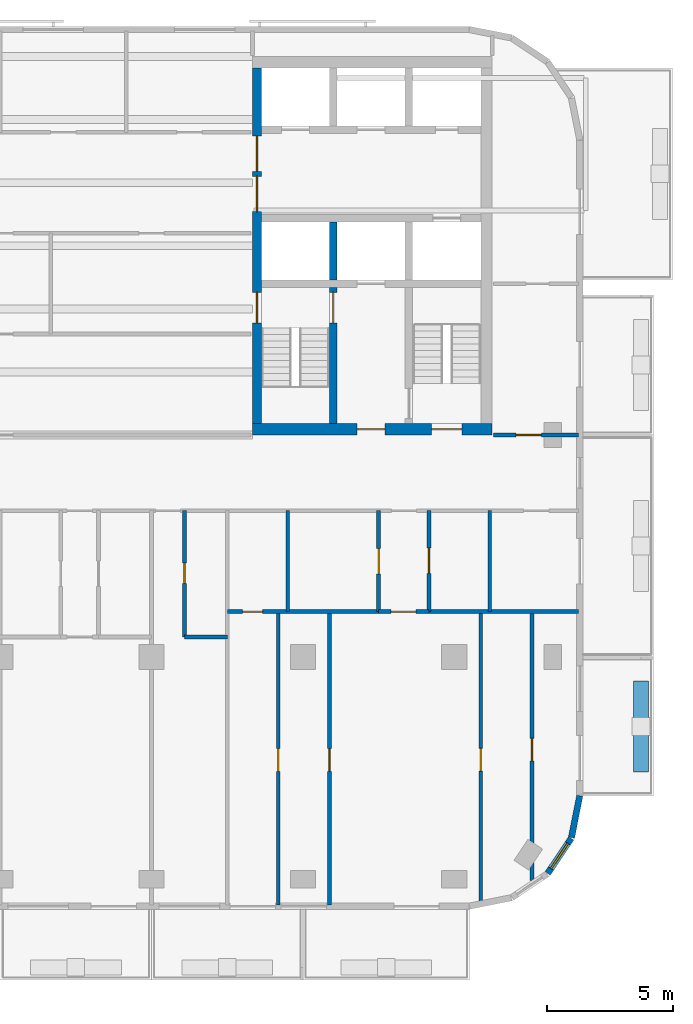
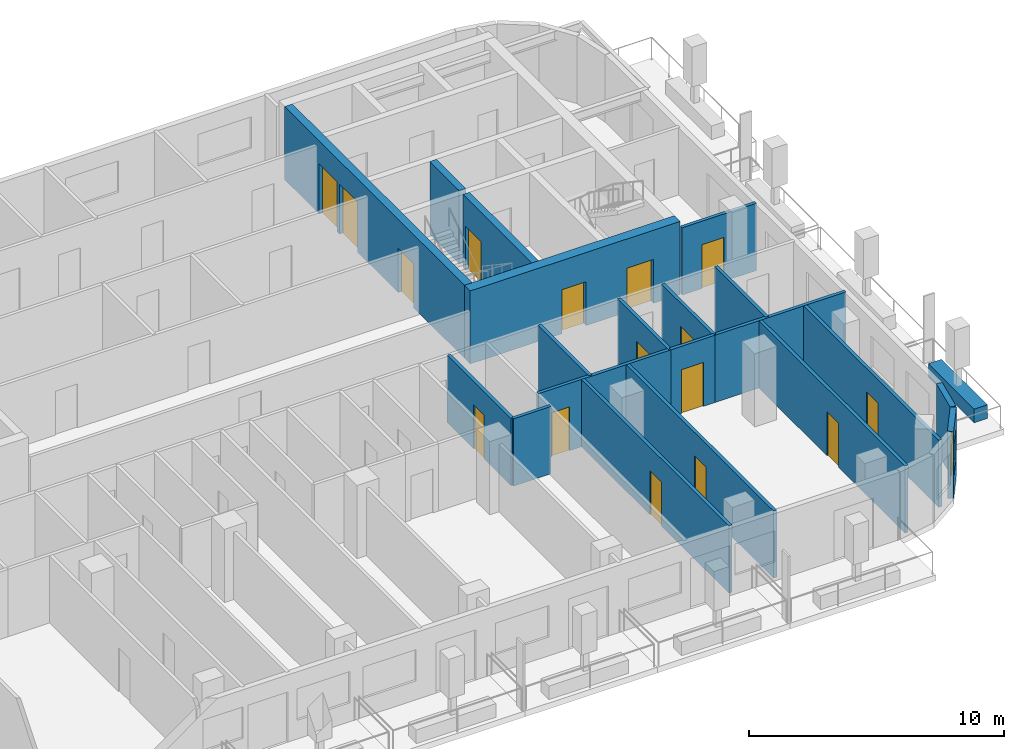
# One storey, part 5 of 11: 21 walls, 16 doors, 1 window, 17 openings.
"""IFC4 building model written with IfcOpenShell, lengths in metres."""

from ifc_helpers import new_model, si_unit, direction, frame, frame_2d, origin, place, context, subcontext, project, spatial, rectangle, extrude, material, layer, layer_set, type_object, element, fill, save


model = new_model("IFC4")

# Units and contexts
model_context = context("Model", 3, precision=1e-05, world=origin(), true_north=direction((0.0, 1.0)))
body_context = subcontext(model_context, "Body", "Model", "MODEL_VIEW")
ifc_project = project(units=[si_unit("LENGTHUNIT", "METRE"), si_unit("AREAUNIT", "SQUARE_METRE"), si_unit("VOLUMEUNIT", "CUBIC_METRE"), si_unit("PLANEANGLEUNIT", "RADIAN"), si_unit("MASSUNIT", "GRAM", prefix="KILO")], contexts=[model_context])

# Site, building, storey
site_placement = place(None, origin())
site = spatial("IfcSite", under=ifc_project, at=site_placement, CompositionType="ELEMENT")
building_placement = place(site_placement, origin())
building = spatial("IfcBuilding", under=site, at=building_placement, Name="Torana Hotel and Residences", CompositionType="ELEMENT")
storey_placement = place(building_placement, frame((0.0, 0.0, 263.10009765625)))
storey = spatial("IfcBuildingStorey", under=building, at=storey_placement, Name="L69", CompositionType="ELEMENT", Elevation=263.10009765625)

# Wall
ifc_material_1 = material(Name="Concrete C60/75", Category="concrete")
ifc_layer_1 = layer(ifc_material_1, 0.300048828125)
ifc_layer_set_1 = layer_set([ifc_layer_1], Name="CORE WALL 300 C60/75")
wall_type_1 = type_object("IfcWallType", Name="CORE WALL 300 C60/75", PredefinedType="SHEAR", material=ifc_layer_set_1)
wall_1_placement = place(storey_placement, frame((13.199951171875, -8.85009765625, 0.0), z_axis=(0.0, 0.0, 1.0), x_axis=(0.0, 1.0, 0.0)))
element("IfcWall", 1, at=wall_1_placement, inside=storey, type_object=wall_type_1, Name="Core wall E x3.05-S", PredefinedType="SHEAR", context=body_context, shape_type="SweptSolid", body=[
    extrude(rectangle(XDim=2.300048828125, YDim=0.300048828125, at=frame_2d((1.14990234375, 0.0))), origin(), (0.0, 0.0, 1.0), 3.5),
])

# Wall, opening, door
wall_2_placement = place(storey_placement, frame((13.199951171875, -14.550048828125, 0.0), z_axis=(0.0, 0.0, 1.0), x_axis=(0.0, 1.0, 0.0)))
wall_2 = element("IfcWall", 2, at=wall_2_placement, inside=storey, type_object=wall_type_1, Name="Core wall E x3.05-band", PredefinedType="SHEAR", context=body_context, shape_type="SweptSolid", body=[
    extrude(rectangle(XDim=5.400146484375, YDim=0.300048828125, at=frame_2d((2.7001953125, 0.0))), origin(), (0.0, 0.0, 1.0), 3.5),
])
opening_1_placement = place(wall_2_placement, frame((4.0, 0.0, 0.0)))
opening_1 = element("IfcOpeningElement", 3, at=opening_1_placement, cuts=wall_2, Name="Opening L69-15", PredefinedType="OPENING", context=body_context, shape_type="SweptSolid", body=[
    extrude(rectangle(XDim=1.199951171875, YDim=2.10009765625, at=frame_2d((0.60009765625, 1.050048828125))), frame((0.0, 0.159912109375, 0.0), z_axis=(0.0, -1.0, 0.0), x_axis=(1.0, 0.0, 0.0)), (0.0, 0.0, 1.0), 0.320068359375),
])
ifc_material_2 = material(Name="Steel S235", Category="steel")
door_type_1 = type_object("IfcDoorType", Name="STAIR FIRE DOOR D3 1200x2100", OperationType="SINGLE_SWING_LEFT", PredefinedType="DOOR", material=ifc_material_2)
door_1_placement = place(opening_1_placement, origin())
door_1 = element("IfcDoor", 4, at=door_1_placement, inside=storey, type_object=door_type_1, Name="Stair-A-lobby door L69", OperationType="SINGLE_SWING_LEFT", OverallHeight=2.10009765625, OverallWidth=1.199951171875, PredefinedType="DOOR", context=body_context, shape_type="SweptSolid", body=[
    extrude(rectangle(XDim=1.199951171875, YDim=2.10009765625, at=frame_2d((0.60009765625, 1.050048828125))), frame((0.0, 0.02490234375, 0.0), z_axis=(0.0, -1.0, 0.0), x_axis=(1.0, 0.0, 0.0)), (0.0, 0.0, 1.0), 0.050048828125),
])
fill(opening_1, door_1)

# Wall, openings, doors
ifc_material_3 = material(Name="Concrete C60/75", Category="concrete")
ifc_layer_2 = layer(ifc_material_3, 0.35009765625)
ifc_layer_set_2 = layer_set([ifc_layer_2], Name="CORE WALL 350 C60/75")
wall_type_2 = type_object("IfcWallType", Name="CORE WALL 350 C60/75", PredefinedType="SHEAR", material=ifc_layer_set_2)
wall_3_placement = place(storey_placement, frame((10.175048828125, -14.550048828125, 0.0), z_axis=(0.0, 0.0, 1.0), x_axis=(0.0, 1.0, 0.0)))
wall_3 = element("IfcWall", 5, at=wall_3_placement, inside=storey, type_object=wall_type_2, Name="Core wall E arch", PredefinedType="SHEAR", context=body_context, shape_type="SweptSolid", body=[
    extrude(rectangle(XDim=14.10009765625, YDim=0.35009765625, at=frame_2d((7.050048828125, 0.0))), origin(), (0.0, 0.0, 1.0), 3.5),
])
opening_2_placement = place(wall_3_placement, frame((8.39990234375, 0.0, 0.0)))
opening_2 = element("IfcOpeningElement", 6, at=opening_2_placement, cuts=wall_3, Name="Opening L69-09", PredefinedType="OPENING", context=body_context, shape_type="SweptSolid", body=[
    extrude(rectangle(XDim=1.39990234375, YDim=2.39990234375, at=frame_2d((0.699951171875, 1.199951171875))), frame((0.0, 0.18505859375, 0.0), z_axis=(0.0, -1.0, 0.0), x_axis=(1.0, 0.0, 0.0)), (0.0, 0.0, 1.0), 0.3701171875),
])
opening_3_placement = place(wall_3_placement, frame((10.0, 0.0, 0.0)))
opening_3 = element("IfcOpeningElement", 7, at=opening_3_placement, cuts=wall_3, Name="Opening L69-10", PredefinedType="OPENING", context=body_context, shape_type="SweptSolid", body=[
    extrude(rectangle(XDim=1.39990234375, YDim=2.39990234375, at=frame_2d((0.699951171875, 1.199951171875))), frame((0.0, 0.18505859375, 0.0), z_axis=(0.0, -1.0, 0.0), x_axis=(1.0, 0.0, 0.0)), (0.0, 0.0, 1.0), 0.3701171875),
])
opening_4_placement = place(wall_3_placement, frame((4.0, 0.0, 0.0)))
opening_4 = element("IfcOpeningElement", 8, at=opening_4_placement, cuts=wall_3, Name="Opening L69-11", PredefinedType="OPENING", context=body_context, shape_type="SweptSolid", body=[
    extrude(rectangle(XDim=1.199951171875, YDim=2.10009765625, at=frame_2d((0.60009765625, 1.050048828125))), frame((0.0, 0.18505859375, 0.0), z_axis=(0.0, -1.0, 0.0), x_axis=(1.0, 0.0, 0.0)), (0.0, 0.0, 1.0), 0.3701171875),
])
ifc_material_4 = material(Name="Steel S235", Category="steel")
door_type_2 = type_object("IfcDoorType", Name="LOBBY FIRE DOOR D4 1400x2400", OperationType="DOUBLE_DOOR_SINGLE_SWING", PredefinedType="DOOR", material=ifc_material_4)
door_2_placement = place(opening_2_placement, origin())
door_2 = element("IfcDoor", 9, at=door_2_placement, inside=storey, type_object=door_type_2, Name="Lobby-1 door L69", OperationType="DOUBLE_DOOR_SINGLE_SWING", OverallHeight=2.39990234375, OverallWidth=1.39990234375, PredefinedType="DOOR", context=body_context, shape_type="SweptSolid", body=[
    extrude(rectangle(XDim=1.39990234375, YDim=2.39990234375, at=frame_2d((0.699951171875, 1.199951171875))), frame((0.0, 0.02490234375, 0.0), z_axis=(0.0, -1.0, 0.0), x_axis=(1.0, 0.0, 0.0)), (0.0, 0.0, 1.0), 0.050048828125),
])
fill(opening_2, door_2)
door_3_placement = place(opening_3_placement, origin())
door_3 = element("IfcDoor", 10, at=door_3_placement, inside=storey, type_object=door_type_2, Name="Lobby-2 door L69", OperationType="DOUBLE_DOOR_SINGLE_SWING", OverallHeight=2.39990234375, OverallWidth=1.39990234375, PredefinedType="DOOR", context=body_context, shape_type="SweptSolid", body=[
    extrude(rectangle(XDim=1.39990234375, YDim=2.39990234375, at=frame_2d((0.699951171875, 1.199951171875))), frame((0.0, 0.02490234375, 0.0), z_axis=(0.0, -1.0, 0.0), x_axis=(1.0, 0.0, 0.0)), (0.0, 0.0, 1.0), 0.050048828125),
])
fill(opening_3, door_3)
door_4_placement = place(opening_4_placement, frame((0.60009765625, 0.0, 0.0), z_axis=(0.0, 0.0, 1.0), x_axis=(-1.0, 0.0, 0.0)))
door_4 = element("IfcDoor", 11, at=door_4_placement, inside=storey, type_object=door_type_1, Name="Stair-A door L69", OperationType="SINGLE_SWING_RIGHT", OverallHeight=2.10009765625, OverallWidth=1.199951171875, PredefinedType="DOOR", context=body_context, shape_type="SweptSolid", body=[
    extrude(rectangle(XDim=1.199951171875, YDim=2.10009765625, at=frame_2d((0.0, 1.050048828125))), frame((0.0, -0.02490234375, 0.0), z_axis=(0.0, 1.0, 0.0), x_axis=(-1.0, 0.0, 0.0)), (0.0, 0.0, 1.0), 0.050048828125),
])
fill(opening_4, door_4)

ifc_material_5 = material(Name="Concrete C60/75", Category="concrete")
ifc_layer_3 = layer(ifc_material_5, 0.449951171875)
ifc_layer_set_3 = layer_set([ifc_layer_3], Name="CORE WALL 450 C60/75")
wall_type_3 = type_object("IfcWallType", Name="CORE WALL 450 C60/75", PredefinedType="SHEAR", material=ifc_layer_set_3)
wall_4_placement = place(storey_placement, frame((10.0, -14.77490234375, 0.0), z_axis=(0.0, 0.0, 1.0), x_axis=(1.0, 0.0, 0.0)))
wall_4 = element("IfcWall", 12, at=wall_4_placement, inside=storey, type_object=wall_type_3, Name="Core wall E front", PredefinedType="SHEAR", context=body_context, shape_type="SweptSolid", body=[
    extrude(rectangle(XDim=9.5, YDim=0.449951171875, at=frame_2d((4.75, 0.0))), origin(), (0.0, 0.0, 1.0), 3.5),
])
opening_5_placement = place(wall_4_placement, frame((7.10009765625, 0.0, 0.0)))
opening_5 = element("IfcOpeningElement", 13, at=opening_5_placement, cuts=wall_4, Name="Opening L69-12", PredefinedType="OPENING", context=body_context, shape_type="SweptSolid", body=[
    extrude(rectangle(XDim=1.199951171875, YDim=2.10009765625, at=frame_2d((0.60009765625, 1.050048828125))), frame((0.0, 0.23486328125, 0.0), z_axis=(0.0, -1.0, 0.0), x_axis=(1.0, 0.0, 0.0)), (0.0, 0.0, 1.0), 0.469970703125),
])
opening_6_placement = place(wall_4_placement, frame((4.14990234375, 0.0, 0.0)))
opening_6 = element("IfcOpeningElement", 14, at=opening_6_placement, cuts=wall_4, Name="Opening L69-13", PredefinedType="OPENING", context=body_context, shape_type="SweptSolid", body=[
    extrude(rectangle(XDim=1.10009765625, YDim=2.10009765625, at=frame_2d((0.550048828125, 1.050048828125))), frame((0.0, 0.23486328125, 0.0), z_axis=(0.0, -1.0, 0.0), x_axis=(1.0, 0.0, 0.0)), (0.0, 0.0, 1.0), 0.469970703125),
])
ifc_material_6 = material(Name="Steel S235", Category="steel")
door_type_3 = type_object("IfcDoorType", Name="FIRE-FIGHTING LOBBY DOOR D8 1100x2100", OperationType="SINGLE_SWING_LEFT", PredefinedType="DOOR", material=ifc_material_6)
door_5_placement = place(opening_6_placement, origin())
door_5 = element("IfcDoor", 15, at=door_5_placement, inside=storey, type_object=door_type_3, Name="FF-lobby door L69", OperationType="SINGLE_SWING_RIGHT", OverallHeight=2.10009765625, OverallWidth=1.10009765625, PredefinedType="DOOR", context=body_context, shape_type="SweptSolid", body=[
    extrude(rectangle(XDim=1.10009765625, YDim=2.10009765625, at=frame_2d((0.550048828125, 1.050048828125))), frame((0.0, 0.02490234375, 0.0), z_axis=(0.0, -1.0, 0.0), x_axis=(1.0, 0.0, 0.0)), (0.0, 0.0, 1.0), 0.050048828125),
])
fill(opening_6, door_5)
door_6_placement = place(opening_5_placement, origin())
door_6 = element("IfcDoor", 16, at=door_6_placement, inside=storey, type_object=door_type_1, Name="Stair-B door L69", OperationType="SINGLE_SWING_RIGHT", OverallHeight=2.10009765625, OverallWidth=1.199951171875, PredefinedType="DOOR", context=body_context, shape_type="SweptSolid", body=[
    extrude(rectangle(XDim=1.199951171875, YDim=2.10009765625, at=frame_2d((0.60009765625, 1.050048828125))), frame((0.0, 0.02490234375, 0.0), z_axis=(0.0, -1.0, 0.0), x_axis=(1.0, 0.0, 0.0)), (0.0, 0.0, 1.0), 0.050048828125),
])
fill(opening_5, door_6)

# Wall, opening, window
ifc_material_7 = material(Name="Black aluminium composite panel", Category="aluminium")
ifc_layer_4 = layer(ifc_material_7, 0.00390625, Name="Cladding", Category="cladding")
ifc_material_8 = material(Name="Ventilated air cavity")
ifc_layer_5 = layer(ifc_material_8, 0.0400390625, Name="Ventilated cavity", Category="cavity")
ifc_material_9 = material(Name="Mineral wool insulation")
ifc_layer_6 = layer(ifc_material_9, 0.090087890625, Name="Insulation", Category="insulation")
ifc_material_10 = material(Name="Steel S280GD", Category="steel")
ifc_layer_7 = layer(ifc_material_10, 0.092041015625, Name="Steel stud frame", Category="structure")
ifc_material_11 = material(Name="Fire rated plasterboard")
ifc_layer_8 = layer(ifc_material_11, 0.011962890625, Name="Inner board", Category="finish")
ifc_layer_9 = layer(ifc_material_11, 0.011962890625, Name="Second board", Category="finish")
ifc_layer_set_4 = layer_set([ifc_layer_4, ifc_layer_5, ifc_layer_6, ifc_layer_7, ifc_layer_8, ifc_layer_9], Name="EW1 EXTERNAL WALL BLACK METAL CLAD 250")
wall_type_4 = type_object("IfcWallType", Name="EW1 EXTERNAL WALL BLACK METAL CLAD 250", PredefinedType="SOLIDWALL", material=ifc_layer_set_4)
wall_5_placement = place(storey_placement, frame((21.705810546875, -32.37109375, 0.0), z_axis=(0.0, 0.0, 1.0), x_axis=(0.55555029066, 0.831482937015, 0.0)))
wall_5 = element("IfcWall", 17, at=wall_5_placement, inside=storey, type_object=wall_type_4, Name="External wall L69 e0.17", PredefinedType="SOLIDWALL", context=body_context, shape_type="SweptSolid", body=[
    extrude(rectangle(XDim=1.65625, YDim=0.25, at=frame_2d((0.828125, 0.0))), origin(), (0.0, 0.0, 1.0), 3.219970703125),
])
opening_7_placement = place(wall_5_placement, frame((0.228271484375, 0.0, 0.89990234375)))
opening_7 = element("IfcOpeningElement", 18, at=opening_7_placement, cuts=wall_5, Name="Opening W5", PredefinedType="OPENING", context=body_context, shape_type="SweptSolid", body=[
    extrude(rectangle(XDim=1.199951171875, YDim=1.5, at=frame_2d((0.60009765625, 0.75))), frame((0.0, 0.135009765625, 0.0), z_axis=(0.0, -1.0, 0.0), x_axis=(1.0, 0.0, 0.0)), (0.0, 0.0, 1.0), 0.27001953125),
])
ifc_material_12 = material(Name="Dark glass in black aluminium frame", Category="aluminium")
window_type = type_object("IfcWindowType", Name="W5 CORNER FACET WINDOW 1200x1500", PartitioningType="SINGLE_PANEL", PredefinedType="WINDOW", material=ifc_material_12)
window_placement = place(opening_7_placement, origin())
window = element("IfcWindow", 19, at=window_placement, inside=storey, type_object=window_type, Name="Window L69 e0.17", OverallHeight=1.5, OverallWidth=1.199951171875, PartitioningType="SINGLE_PANEL", PredefinedType="WINDOW", context=body_context, shape_type="SweptSolid", body=[
    extrude(rectangle(XDim=1.199951171875, YDim=1.5, at=frame_2d((0.60009765625, 0.75))), frame((0.0, 0.030029296875, 0.0), z_axis=(0.0, -1.0, 0.0), x_axis=(1.0, 0.0, 0.0)), (0.0, 0.0, 1.0), 0.06005859375),
])
fill(opening_7, window)

# Wall
wall_6_placement = place(storey_placement, frame((22.64453125, -30.948974609375, 0.0), z_axis=(0.0, 0.0, 1.0), x_axis=(0.19513878023, 0.980775640221, 0.0)))
element("IfcWall", 20, at=wall_6_placement, inside=storey, type_object=wall_type_4, Name="External wall L69 e0.18", PredefinedType="SOLIDWALL", context=body_context, shape_type="SweptSolid", body=[
    extrude(rectangle(XDim=1.681396484375, YDim=0.25, at=frame_2d((0.8408203125, 0.0))), origin(), (0.0, 0.0, 1.0), 3.219970703125),
])

# Wall, opening, door
ifc_material_13 = material(Name="Gypsum plaster")
ifc_layer_10 = layer(ifc_material_13, 0.014892578125, Name="Plaster", Category="finish")
ifc_material_14 = material(Name="Concrete blockwork", Category="masonry")
ifc_layer_11 = layer(ifc_material_14, 0.1201171875, Name="Blockwork", Category="structure")
ifc_layer_12 = layer(ifc_material_13, 0.014892578125, Name="Plaster", Category="finish")
ifc_layer_set_5 = layer_set([ifc_layer_10, ifc_layer_11, ifc_layer_12], Name="FIRE PARTITION 150 BLOCKWORK")
wall_type_5 = type_object("IfcWallType", Name="FIRE PARTITION 150 BLOCKWORK", PredefinedType="PARTITIONING", material=ifc_layer_set_5)
wall_7_placement = place(storey_placement, frame((17.0, -22.0, 0.0), z_axis=(0.0, 0.0, 1.0), x_axis=(0.0, 1.0, 0.0)))
wall_7 = element("IfcWall", 21, at=wall_7_placement, inside=storey, type_object=wall_type_5, Name="Partition L69", PredefinedType="PARTITIONING", context=body_context, shape_type="SweptSolid", body=[
    extrude(rectangle(XDim=4.0, YDim=0.14990234375, at=frame_2d((2.0, 0.0))), origin(), (0.0, 0.0, 1.0), 3.219970703125),
])
opening_8_placement = place(wall_7_placement, frame((1.52001953125, 0.0, 0.0)))
opening_8 = element("IfcOpeningElement", 22, at=opening_8_placement, cuts=wall_7, Name="Opening L69-55", PredefinedType="OPENING", context=body_context, shape_type="SweptSolid", body=[
    extrude(rectangle(XDim=1.0, YDim=2.10009765625, at=frame_2d((0.5, 1.050048828125))), frame((0.0, 0.0849609375, 0.0), z_axis=(0.0, -1.0, 0.0), x_axis=(1.0, 0.0, 0.0)), (0.0, 0.0, 1.0), 0.169921875),
])
ifc_material_15 = material(Name="Steel S235", Category="steel")
door_type_4 = type_object("IfcDoorType", Name="ENTRY FIRE DOOR D6 1000x2100", OperationType="SINGLE_SWING_LEFT", PredefinedType="DOOR", material=ifc_material_15)
door_7_placement = place(opening_8_placement, frame((0.5, 0.0, 0.0), z_axis=(0.0, 0.0, 1.0), x_axis=(-1.0, 0.0, 0.0)))
door_7 = element("IfcDoor", 23, at=door_7_placement, inside=storey, type_object=door_type_4, Name="Door L69", OperationType="SINGLE_SWING_LEFT", OverallHeight=2.10009765625, OverallWidth=1.0, PredefinedType="DOOR", context=body_context, shape_type="SweptSolid", body=[
    extrude(rectangle(XDim=1.0, YDim=2.10009765625, at=frame_2d((0.0, 1.050048828125))), frame((0.0, -0.02490234375, 0.0), z_axis=(0.0, 1.0, 0.0), x_axis=(-1.0, 0.0, 0.0)), (0.0, 0.0, 1.0), 0.050048828125),
])
fill(opening_8, door_7)

wall_8_placement = place(storey_placement, frame((15.0, -22.0, 0.0), z_axis=(0.0, 0.0, 1.0), x_axis=(0.0, 1.0, 0.0)))
wall_8 = element("IfcWall", 24, at=wall_8_placement, inside=storey, type_object=wall_type_5, Name="Partition L69", PredefinedType="PARTITIONING", context=body_context, shape_type="SweptSolid", body=[
    extrude(rectangle(XDim=4.0, YDim=0.14990234375, at=frame_2d((2.0, 0.0))), origin(), (0.0, 0.0, 1.0), 3.219970703125),
])
opening_9_placement = place(wall_8_placement, frame((1.5, 0.0, 0.0)))
opening_9 = element("IfcOpeningElement", 25, at=opening_9_placement, cuts=wall_8, Name="Opening L69-54", PredefinedType="OPENING", context=body_context, shape_type="SweptSolid", body=[
    extrude(rectangle(XDim=1.0, YDim=2.10009765625, at=frame_2d((0.5, 1.050048828125))), frame((0.0, 0.0849609375, 0.0), z_axis=(0.0, -1.0, 0.0), x_axis=(1.0, 0.0, 0.0)), (0.0, 0.0, 1.0), 0.169921875),
])
door_8_placement = place(opening_9_placement, origin())
door_8 = element("IfcDoor", 26, at=door_8_placement, inside=storey, type_object=door_type_4, Name="Door L69", OperationType="SINGLE_SWING_RIGHT", OverallHeight=2.10009765625, OverallWidth=1.0, PredefinedType="DOOR", context=body_context, shape_type="SweptSolid", body=[
    extrude(rectangle(XDim=1.0, YDim=2.10009765625, at=frame_2d((0.5, 1.050048828125))), frame((0.0, 0.02490234375, 0.0), z_axis=(0.0, -1.0, 0.0), x_axis=(1.0, 0.0, 0.0)), (0.0, 0.0, 1.0), 0.050048828125),
])
fill(opening_9, door_8)

wall_9_placement = place(storey_placement, frame((15.0, -22.0, 0.0), z_axis=(0.0, 0.0, 1.0), x_axis=(1.0, 0.0, 0.0)))
wall_9 = element("IfcWall", 27, at=wall_9_placement, inside=storey, type_object=wall_type_5, Name="Partition L69", PredefinedType="PARTITIONING", context=body_context, shape_type="SweptSolid", body=[
    extrude(rectangle(XDim=2.0, YDim=0.14990234375, at=frame_2d((1.0, 0.0))), origin(), (0.0, 0.0, 1.0), 3.219970703125),
])
opening_10_placement = place(wall_9_placement, frame((0.47998046875, 0.0, 0.0)))
opening_10 = element("IfcOpeningElement", 28, at=opening_10_placement, cuts=wall_9, Name="Opening L69-56", PredefinedType="OPENING", context=body_context, shape_type="SweptSolid", body=[
    extrude(rectangle(XDim=1.0, YDim=2.10009765625, at=frame_2d((0.5, 1.050048828125))), frame((0.0, 0.0849609375, 0.0), z_axis=(0.0, -1.0, 0.0), x_axis=(1.0, 0.0, 0.0)), (0.0, 0.0, 1.0), 0.169921875),
])
door_9_placement = place(opening_10_placement, frame((0.5, 0.0, 0.0), z_axis=(0.0, 0.0, 1.0), x_axis=(-1.0, 0.0, 0.0)))
door_9 = element("IfcDoor", 29, at=door_9_placement, inside=storey, type_object=door_type_4, Name="Door L69", OperationType="SINGLE_SWING_LEFT", OverallHeight=2.10009765625, OverallWidth=1.0, PredefinedType="DOOR", context=body_context, shape_type="SweptSolid", body=[
    extrude(rectangle(XDim=1.0, YDim=2.10009765625, at=frame_2d((0.0, 1.050048828125))), frame((0.0, -0.02490234375, 0.0), z_axis=(0.0, 1.0, 0.0), x_axis=(-1.0, 0.0, 0.0)), (0.0, 0.0, 1.0), 0.050048828125),
])
fill(opening_10, door_9)

wall_10_placement = place(storey_placement, frame((19.550048828125, -15.0, 0.0), z_axis=(0.0, 0.0, 1.0), x_axis=(1.0, 0.0, 0.0)))
wall_10 = element("IfcWall", 30, at=wall_10_placement, inside=storey, type_object=wall_type_5, Name="Partition L69", PredefinedType="PARTITIONING", context=body_context, shape_type="SweptSolid", body=[
    extrude(rectangle(XDim=3.369873046875, YDim=0.14990234375, at=frame_2d((1.68505859375, 0.0))), origin(), (0.0, 0.0, 1.0), 3.219970703125),
])
opening_11_placement = place(wall_10_placement, frame((0.89990234375, 0.0, 0.0)))
opening_11 = element("IfcOpeningElement", 31, at=opening_11_placement, cuts=wall_10, Name="Opening L69-28", PredefinedType="OPENING", context=body_context, shape_type="SweptSolid", body=[
    extrude(rectangle(XDim=1.0, YDim=2.10009765625, at=frame_2d((0.5, 1.050048828125))), frame((0.0, 0.0849609375, 0.0), z_axis=(0.0, -1.0, 0.0), x_axis=(1.0, 0.0, 0.0)), (0.0, 0.0, 1.0), 0.169921875),
])
ifc_material_16 = material(Name="Steel S235", Category="steel")
door_type_5 = type_object("IfcDoorType", Name="CORE ROOM FIRE DOOR D14 1000x2100", OperationType="SINGLE_SWING_LEFT", PredefinedType="DOOR", material=ifc_material_16)
door_10_placement = place(opening_11_placement, origin())
door_10 = element("IfcDoor", 32, at=door_10_placement, inside=storey, type_object=door_type_5, Name="Door L69", OperationType="SINGLE_SWING_LEFT", OverallHeight=2.10009765625, OverallWidth=1.0, PredefinedType="DOOR", context=body_context, shape_type="SweptSolid", body=[
    extrude(rectangle(XDim=1.0, YDim=2.10009765625, at=frame_2d((0.5, 1.050048828125))), frame((0.0, 0.02490234375, 0.0), z_axis=(0.0, -1.0, 0.0), x_axis=(1.0, 0.0, 0.0)), (0.0, 0.0, 1.0), 0.050048828125),
])
fill(opening_11, door_10)

ifc_material_17 = material(Name="Gypsum plasterboard")
ifc_layer_13 = layer(ifc_material_17, 0.012451171875, Name="Plasterboard", Category="finish")
ifc_layer_14 = layer(ifc_material_17, 0.012451171875, Name="Plasterboard", Category="finish")
ifc_layer_15 = layer(ifc_material_10, 0.10009765625, Name="Steel studs with mineral wool", Category="insulation")
ifc_layer_16 = layer(ifc_material_17, 0.012451171875, Name="Plasterboard", Category="finish")
ifc_layer_17 = layer(ifc_material_17, 0.012451171875, Name="Plasterboard", Category="finish")
ifc_layer_set_6 = layer_set([ifc_layer_13, ifc_layer_14, ifc_layer_15, ifc_layer_16, ifc_layer_17], Name="PARTITION 150 PLASTERBOARD")
wall_type_6 = type_object("IfcWallType", Name="PARTITION 150 PLASTERBOARD", PredefinedType="PARTITIONING", material=ifc_layer_set_6)
wall_11_placement = place(storey_placement, frame((21.074951171875, -32.665771484375, 0.0), z_axis=(0.0, 0.0, 1.0), x_axis=(0.0, 1.0, 0.0)))
wall_11 = element("IfcWall", 33, at=wall_11_placement, inside=storey, type_object=wall_type_6, Name="Partition L69", PredefinedType="PARTITIONING", context=body_context, shape_type="SweptSolid", body=[
    extrude(rectangle(XDim=10.665771484375, YDim=0.14990234375, at=frame_2d((5.3330078125, 0.0))), origin(), (0.0, 0.0, 1.0), 3.219970703125),
])
opening_12_placement = place(wall_11_placement, frame((4.745849609375, 0.0, 0.0)))
opening_12 = element("IfcOpeningElement", 34, at=opening_12_placement, cuts=wall_11, Name="Opening L69-60", PredefinedType="OPENING", context=body_context, shape_type="SweptSolid", body=[
    extrude(rectangle(XDim=0.89990234375, YDim=2.10009765625, at=frame_2d((0.449951171875, 1.050048828125))), frame((0.0, 0.0849609375, 0.0), z_axis=(0.0, -1.0, 0.0), x_axis=(1.0, 0.0, 0.0)), (0.0, 0.0, 1.0), 0.169921875),
])
ifc_material_18 = material(Name="Timber door, oiled ash", Category="wood")
door_type_6 = type_object("IfcDoorType", Name="ROOM DOOR D7 900x2100", OperationType="SINGLE_SWING_LEFT", PredefinedType="DOOR", material=ifc_material_18)
door_11_placement = place(opening_12_placement, origin())
door_11 = element("IfcDoor", 35, at=door_11_placement, inside=storey, type_object=door_type_6, Name="Door L69", OperationType="SINGLE_SWING_RIGHT", OverallHeight=2.10009765625, OverallWidth=0.89990234375, PredefinedType="DOOR", context=body_context, shape_type="SweptSolid", body=[
    extrude(rectangle(XDim=0.89990234375, YDim=2.10009765625, at=frame_2d((0.449951171875, 1.050048828125))), frame((0.0, 0.02490234375, 0.0), z_axis=(0.0, -1.0, 0.0), x_axis=(1.0, 0.0, 0.0)), (0.0, 0.0, 1.0), 0.050048828125),
])
fill(opening_12, door_11)

# Wall
wall_12_placement = place(storey_placement, frame((19.39990234375, -22.0, 0.0), z_axis=(0.0, 0.0, 1.0), x_axis=(0.0, 1.0, 0.0)))
element("IfcWall", 36, at=wall_12_placement, inside=storey, type_object=wall_type_6, Name="Partition L69", PredefinedType="PARTITIONING", context=body_context, shape_type="SweptSolid", body=[
    extrude(rectangle(XDim=4.0, YDim=0.14990234375, at=frame_2d((2.0, 0.0))), origin(), (0.0, 0.0, 1.0), 3.219970703125),
])

# Wall, opening, door
wall_13_placement = place(storey_placement, frame((19.050048828125, -33.527099609375, 0.0), z_axis=(0.0, 0.0, 1.0), x_axis=(0.0, 1.0, 0.0)))
wall_13 = element("IfcWall", 37, at=wall_13_placement, inside=storey, type_object=wall_type_6, Name="Partition L69", PredefinedType="PARTITIONING", context=body_context, shape_type="SweptSolid", body=[
    extrude(rectangle(XDim=11.527099609375, YDim=0.14990234375, at=frame_2d((5.763671875, 0.0))), origin(), (0.0, 0.0, 1.0), 3.219970703125),
])
opening_13_placement = place(wall_13_placement, frame((5.20703125, 0.0, 0.0)))
opening_13 = element("IfcOpeningElement", 38, at=opening_13_placement, cuts=wall_13, Name="Opening L69-58", PredefinedType="OPENING", context=body_context, shape_type="SweptSolid", body=[
    extrude(rectangle(XDim=0.89990234375, YDim=2.10009765625, at=frame_2d((0.449951171875, 1.050048828125))), frame((0.0, 0.0849609375, 0.0), z_axis=(0.0, -1.0, 0.0), x_axis=(1.0, 0.0, 0.0)), (0.0, 0.0, 1.0), 0.169921875),
])
door_12_placement = place(opening_13_placement, origin())
door_12 = element("IfcDoor", 39, at=door_12_placement, inside=storey, type_object=door_type_6, Name="Door L69", OperationType="SINGLE_SWING_RIGHT", OverallHeight=2.10009765625, OverallWidth=0.89990234375, PredefinedType="DOOR", context=body_context, shape_type="SweptSolid", body=[
    extrude(rectangle(XDim=0.89990234375, YDim=2.10009765625, at=frame_2d((0.449951171875, 1.050048828125))), frame((0.0, 0.02490234375, 0.0), z_axis=(0.0, -1.0, 0.0), x_axis=(1.0, 0.0, 0.0)), (0.0, 0.0, 1.0), 0.050048828125),
])
fill(opening_13, door_12)

wall_14_placement = place(storey_placement, frame((13.050048828125, -33.6201171875, 0.0), z_axis=(0.0, 0.0, 1.0), x_axis=(0.0, 1.0, 0.0)))
wall_14 = element("IfcWall", 40, at=wall_14_placement, inside=storey, type_object=wall_type_6, Name="Partition L69", PredefinedType="PARTITIONING", context=body_context, shape_type="SweptSolid", body=[
    extrude(rectangle(XDim=11.6201171875, YDim=0.14990234375, at=frame_2d((5.81005859375, 0.0))), origin(), (0.0, 0.0, 1.0), 3.219970703125),
])
opening_14_placement = place(wall_14_placement, frame((5.2900390625, 0.0, 0.0)))
opening_14 = element("IfcOpeningElement", 41, at=opening_14_placement, cuts=wall_14, Name="Opening L69-57", PredefinedType="OPENING", context=body_context, shape_type="SweptSolid", body=[
    extrude(rectangle(XDim=0.89990234375, YDim=2.10009765625, at=frame_2d((0.449951171875, 1.050048828125))), frame((0.0, 0.0849609375, 0.0), z_axis=(0.0, -1.0, 0.0), x_axis=(1.0, 0.0, 0.0)), (0.0, 0.0, 1.0), 0.169921875),
])
door_13_placement = place(opening_14_placement, origin())
door_13 = element("IfcDoor", 42, at=door_13_placement, inside=storey, type_object=door_type_6, Name="Door L69", OperationType="SINGLE_SWING_RIGHT", OverallHeight=2.10009765625, OverallWidth=0.89990234375, PredefinedType="DOOR", context=body_context, shape_type="SweptSolid", body=[
    extrude(rectangle(XDim=0.89990234375, YDim=2.10009765625, at=frame_2d((0.449951171875, 1.050048828125))), frame((0.0, 0.02490234375, 0.0), z_axis=(0.0, -1.0, 0.0), x_axis=(1.0, 0.0, 0.0)), (0.0, 0.0, 1.0), 0.050048828125),
])
fill(opening_14, door_13)

# Wall
wall_15_placement = place(storey_placement, frame((11.39990234375, -22.0, 0.0), z_axis=(0.0, 0.0, 1.0), x_axis=(0.0, 1.0, 0.0)))
element("IfcWall", 43, at=wall_15_placement, inside=storey, type_object=wall_type_6, Name="Partition L69", PredefinedType="PARTITIONING", context=body_context, shape_type="SweptSolid", body=[
    extrude(rectangle(XDim=4.0, YDim=0.14990234375, at=frame_2d((2.0, 0.0))), origin(), (0.0, 0.0, 1.0), 3.219970703125),
])

# Wall, opening, door
wall_16_placement = place(storey_placement, frame((11.02490234375, -33.6201171875, 0.0), z_axis=(0.0, 0.0, 1.0), x_axis=(0.0, 1.0, 0.0)))
wall_16 = element("IfcWall", 44, at=wall_16_placement, inside=storey, type_object=wall_type_6, Name="Partition L69", PredefinedType="PARTITIONING", context=body_context, shape_type="SweptSolid", body=[
    extrude(rectangle(XDim=11.6201171875, YDim=0.14990234375, at=frame_2d((5.81005859375, 0.0))), origin(), (0.0, 0.0, 1.0), 3.219970703125),
])
opening_15_placement = place(wall_16_placement, frame((5.2900390625, 0.0, 0.0)))
opening_15 = element("IfcOpeningElement", 45, at=opening_15_placement, cuts=wall_16, Name="Opening L69-59", PredefinedType="OPENING", context=body_context, shape_type="SweptSolid", body=[
    extrude(rectangle(XDim=0.89990234375, YDim=2.10009765625, at=frame_2d((0.449951171875, 1.050048828125))), frame((0.0, 0.0849609375, 0.0), z_axis=(0.0, -1.0, 0.0), x_axis=(1.0, 0.0, 0.0)), (0.0, 0.0, 1.0), 0.169921875),
])
door_14_placement = place(opening_15_placement, origin())
door_14 = element("IfcDoor", 46, at=door_14_placement, inside=storey, type_object=door_type_6, Name="Door L69", OperationType="SINGLE_SWING_RIGHT", OverallHeight=2.10009765625, OverallWidth=0.89990234375, PredefinedType="DOOR", context=body_context, shape_type="SweptSolid", body=[
    extrude(rectangle(XDim=0.89990234375, YDim=2.10009765625, at=frame_2d((0.449951171875, 1.050048828125))), frame((0.0, 0.02490234375, 0.0), z_axis=(0.0, -1.0, 0.0), x_axis=(1.0, 0.0, 0.0)), (0.0, 0.0, 1.0), 0.050048828125),
])
fill(opening_15, door_14)

wall_17_placement = place(storey_placement, frame((7.300048828125, -23.0, 0.0), z_axis=(0.0, 0.0, 1.0), x_axis=(0.0, 1.0, 0.0)))
wall_17 = element("IfcWall", 47, at=wall_17_placement, inside=storey, type_object=wall_type_6, Name="Partition L69", PredefinedType="PARTITIONING", context=body_context, shape_type="SweptSolid", body=[
    extrude(rectangle(XDim=5.0, YDim=0.14990234375, at=frame_2d((2.5, 0.0))), origin(), (0.0, 0.0, 1.0), 3.219970703125),
])
opening_16_placement = place(wall_17_placement, frame((2.1201171875, 0.0, 0.0)))
opening_16 = element("IfcOpeningElement", 48, at=opening_16_placement, cuts=wall_17, Name="Opening L69-44", PredefinedType="OPENING", context=body_context, shape_type="SweptSolid", body=[
    extrude(rectangle(XDim=0.800048828125, YDim=2.10009765625, at=frame_2d((0.39990234375, 1.050048828125))), frame((0.0, 0.0849609375, 0.0), z_axis=(0.0, -1.0, 0.0), x_axis=(1.0, 0.0, 0.0)), (0.0, 0.0, 1.0), 0.169921875),
])
ifc_material_19 = material(Name="Timber door, painted", Category="wood")
door_type_7 = type_object("IfcDoorType", Name="BATH DOOR D13 800x2100", OperationType="SINGLE_SWING_LEFT", PredefinedType="DOOR", material=ifc_material_19)
door_15_placement = place(opening_16_placement, origin())
door_15 = element("IfcDoor", 49, at=door_15_placement, inside=storey, type_object=door_type_7, Name="Door L69", OperationType="SINGLE_SWING_RIGHT", OverallHeight=2.10009765625, OverallWidth=0.800048828125, PredefinedType="DOOR", context=body_context, shape_type="SweptSolid", body=[
    extrude(rectangle(XDim=0.800048828125, YDim=2.10009765625, at=frame_2d((0.39990234375, 1.050048828125))), frame((0.0, 0.02490234375, 0.0), z_axis=(0.0, -1.0, 0.0), x_axis=(1.0, 0.0, 0.0)), (0.0, 0.0, 1.0), 0.050048828125),
])
fill(opening_16, door_15)

# Wall
wall_18_placement = place(storey_placement, frame((7.300048828125, -23.0, 0.0), z_axis=(0.0, 0.0, 1.0), x_axis=(1.0, 0.0, 0.0)))
element("IfcWall", 50, at=wall_18_placement, inside=storey, type_object=wall_type_6, Name="Partition L69", PredefinedType="PARTITIONING", context=body_context, shape_type="SweptSolid", body=[
    extrude(rectangle(XDim=1.699951171875, YDim=0.14990234375, at=frame_2d((0.85009765625, 0.0))), origin(), (0.0, 0.0, 1.0), 3.219970703125),
])

# Wall, opening, door
wall_19_placement = place(storey_placement, frame((9.0, -22.0, 0.0), z_axis=(0.0, 0.0, 1.0), x_axis=(1.0, 0.0, 0.0)))
wall_19 = element("IfcWall", 51, at=wall_19_placement, inside=storey, type_object=wall_type_6, Name="Partition L69", PredefinedType="PARTITIONING", context=body_context, shape_type="SweptSolid", body=[
    extrude(rectangle(XDim=6.0, YDim=0.14990234375, at=frame_2d((3.0, 0.0))), origin(), (0.0, 0.0, 1.0), 3.219970703125),
])
opening_17_placement = place(wall_19_placement, frame((0.60498046875, 0.0, 0.0)))
opening_17 = element("IfcOpeningElement", 52, at=opening_17_placement, cuts=wall_19, Name="Opening L69-53", PredefinedType="OPENING", context=body_context, shape_type="SweptSolid", body=[
    extrude(rectangle(XDim=0.800048828125, YDim=2.10009765625, at=frame_2d((0.39990234375, 1.050048828125))), frame((0.0, 0.0849609375, 0.0), z_axis=(0.0, -1.0, 0.0), x_axis=(1.0, 0.0, 0.0)), (0.0, 0.0, 1.0), 0.169921875),
])
door_16_placement = place(opening_17_placement, origin())
door_16 = element("IfcDoor", 53, at=door_16_placement, inside=storey, type_object=door_type_7, Name="Door L69", OperationType="SINGLE_SWING_RIGHT", OverallHeight=2.10009765625, OverallWidth=0.800048828125, PredefinedType="DOOR", context=body_context, shape_type="SweptSolid", body=[
    extrude(rectangle(XDim=0.800048828125, YDim=2.10009765625, at=frame_2d((0.39990234375, 1.050048828125))), frame((0.0, 0.02490234375, 0.0), z_axis=(0.0, -1.0, 0.0), x_axis=(1.0, 0.0, 0.0)), (0.0, 0.0, 1.0), 0.050048828125),
])
fill(opening_17, door_16)

# Walls
wall_20_placement = place(storey_placement, frame((17.0, -22.0, 0.0), z_axis=(0.0, 0.0, 1.0), x_axis=(1.0, 0.0, 0.0)))
element("IfcWall", 54, at=wall_20_placement, inside=storey, type_object=wall_type_6, Name="Partition L69", PredefinedType="PARTITIONING", context=body_context, shape_type="SweptSolid", body=[
    extrude(rectangle(XDim=5.919921875, YDim=0.14990234375, at=frame_2d((2.9599609375, 0.0))), origin(), (0.0, 0.0, 1.0), 3.219970703125),
])
ifc_material_20 = material(Name="Concrete C40/50 precast", Category="concrete")
ifc_layer_18 = layer(ifc_material_20, 0.10009765625, Name="Planter shell", Category="structure")
ifc_material_21 = material(Name="Root resistant membrane")
ifc_layer_19 = layer(ifc_material_21, 0.00390625, Name="Waterproofing membrane", Category="membrane")
ifc_material_22 = material(Name="Drainage board with filter fleece")
ifc_layer_20 = layer(ifc_material_22, 0.02001953125, Name="Drainage board", Category="drainage")
ifc_material_23 = material(Name="Growing medium")
ifc_layer_21 = layer(ifc_material_23, 0.47607421875, Name="Planting substrate", Category="soil")
ifc_layer_set_7 = layer_set([ifc_layer_18, ifc_layer_19, ifc_layer_20, ifc_layer_21], Name="PL1 BALCONY PLANTER 600")
wall_type_7 = type_object("IfcWallType", Name="PL1 BALCONY PLANTER 600", PredefinedType="USERDEFINED", material=ifc_layer_set_7)
wall_21_placement = place(storey_placement, frame((25.39990234375, -24.75, 0.0), z_axis=(0.0, 0.0, 1.0), x_axis=(0.0, -1.0, 0.0)))
element("IfcWall", 55, at=wall_21_placement, inside=storey, type_object=wall_type_7, Name="Planter 11", ObjectType="PLANTER", PredefinedType="USERDEFINED", context=body_context, shape_type="SweptSolid", body=[
    extrude(rectangle(XDim=3.60009765625, YDim=0.60009765625, at=frame_2d((1.800048828125, 0.0))), origin(), (0.0, 0.0, 1.0), 0.64990234375),
])

save(model, "model.ifc")
